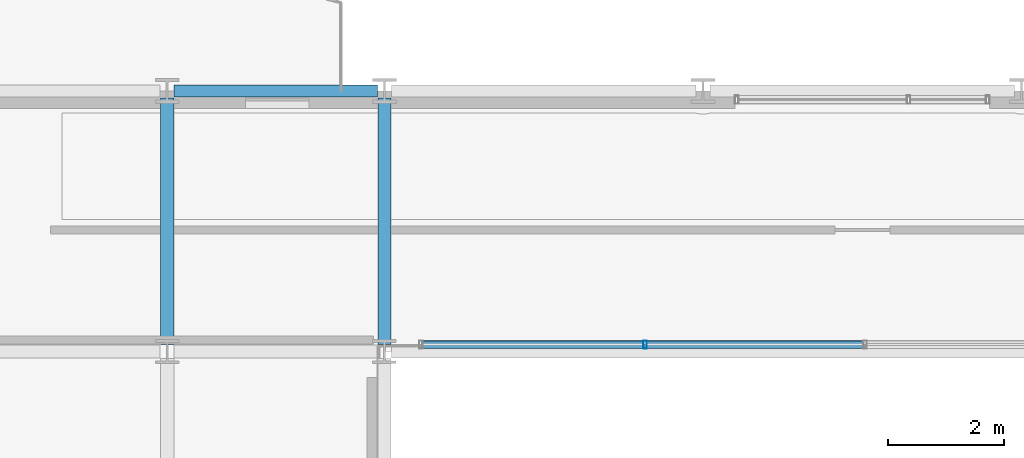
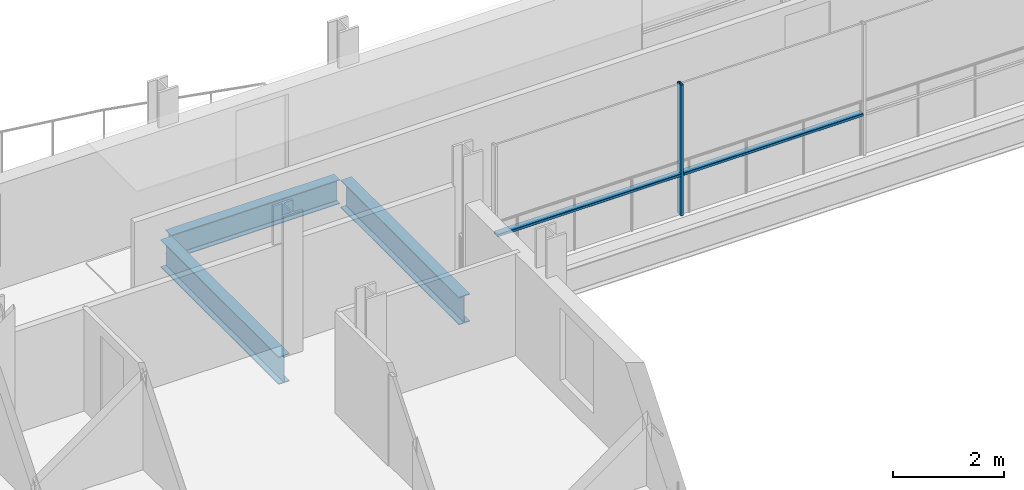
# One storey, part 9 of 39: 3 beams, 3 members, 1 element without a shape of its own.
"""IFC4 building model written with IfcOpenShell, lengths in metres."""

from ifc_helpers import new_model, si_unit, direction, frame, origin, origin_2d, place, context, subcontext, project, spatial, hollow_rectangle, i_section, extrude, material, layer, layer_set, material_profile, profile_set, type_object, element, aggregate, save


model = new_model("IFC4")

# Units and contexts
model_context = context("Model", 3, precision=1e-05, world=origin(), true_north=direction((0.0, 1.0)))
body_context = subcontext(model_context, "Body", "Model", "MODEL_VIEW")
ifc_project = project(units=[si_unit("LENGTHUNIT", "METRE"), si_unit("AREAUNIT", "SQUARE_METRE"), si_unit("VOLUMEUNIT", "CUBIC_METRE"), si_unit("PLANEANGLEUNIT", "RADIAN"), si_unit("MASSUNIT", "GRAM", prefix="KILO")], contexts=[model_context])

# Site, building, storey
site_placement = place(None, origin())
site = spatial("IfcSite", under=ifc_project, at=site_placement, CompositionType="ELEMENT")
building_placement = place(site_placement, origin())
building = spatial("IfcBuilding", under=site, at=building_placement, Name="Brevholm Reach", CompositionType="ELEMENT")
storey_placement = place(building_placement, frame((0.0, 0.0, 109.699951171875)))
storey = spatial("IfcBuildingStorey", under=building, at=storey_placement, Name="L32", CompositionType="ELEMENT", Elevation=109.699951171875)

# Beams
ifc_material_1 = material(Name="Structural Steel S355J2", Category="steel")
ifc_material_profile_1 = material_profile(ifc_material_1, i_section(OverallWidth=0.209228515625, OverallDepth=0.533203125, WebThickness=0.010009765625, FlangeThickness=0.015625, FilletRadius=0.0126953125, at=origin_2d()), Name="UKB 533x210x92")
ifc_profile_set_1 = profile_set([ifc_material_profile_1], Name="Structural Steel S355J2")
beam_type_1 = type_object("IfcBeamType", Name="BM-SP533", PredefinedType="SPANDREL", material=ifc_profile_set_1)
beam_placement = place(storey_placement, frame((18.1201171875, 31.0, -0.486572265625), z_axis=(1.0, 0.0, 0.0), x_axis=(0.0, 1.0, 0.0)))
element("IfcBeam", 1, at=beam_placement, inside=storey, type_object=beam_type_1, Name="L32 SP-02 Framing Beam", PredefinedType="SPANDREL", context=body_context, shape_type="SweptSolid", body=[
    extrude(i_section(OverallWidth=0.209228515625, OverallDepth=0.533203125, WebThickness=0.010009765625, FlangeThickness=0.015625, FilletRadius=0.0126953125, at=origin_2d()), origin(), (0.0, 0.0, 1.0), 3.509765625),
])
ifc_material_2 = material(Name="Structural Steel S355J2", Category="steel")
ifc_material_profile_2 = material_profile(ifc_material_2, i_section(OverallWidth=0.22900390625, OverallDepth=0.6123046875, WebThickness=0.011962890625, FlangeThickness=0.01953125, FilletRadius=0.0126953125, at=origin_2d()), Name="UKB 610x229x125")
ifc_profile_set_2 = profile_set([ifc_material_profile_2], Name="Structural Steel S355J2")
beam_type_2 = type_object("IfcBeamType", Name="BM-SP610", PredefinedType="SPANDREL", material=ifc_profile_set_2)
for number, where, z_axis, x_axis, name in (
    (2, (18.0, 26.6201171875, -0.526123046875), (0.0, 1.0, 0.0), (-1.0, 0.0, 0.0), "L32 SP-01 Framing Beam"),
    (3, (21.75, 26.6201171875, -0.526123046875), (0.0, 1.0, 0.0), (-1.0, 0.0, 0.0), "L32 SP-01 Framing Beam"),
):
    element("IfcBeam", number, at=place(storey_placement, frame(where, z_axis=z_axis, x_axis=x_axis)), inside=storey, type_object=beam_type_2, Name=name, PredefinedType="SPANDREL", context=body_context, shape_type="SweptSolid", body=[
        extrude(i_section(OverallWidth=0.22900390625, OverallDepth=0.6123046875, WebThickness=0.011962890625, FlangeThickness=0.01953125, FilletRadius=0.0126953125, at=origin_2d()), origin(), (0.0, 0.0, 1.0), 4.259765625),
    ])

# Curtain wall, members
ifc_material_3 = material(Name="Dark Anodised Aluminium 6063-T6 and Solar-Control Glass", Category="aluminium")
ifc_layer = layer(ifc_material_3, 0.139892578125)
ifc_layer_set = layer_set([ifc_layer], Name="Dark Anodised Aluminium 6063-T6 and Solar-Control Glass")
curtain_wall_type = type_object("IfcCurtainWallType", Name="CW-02", PredefinedType="NOTDEFINED", material=ifc_layer_set)
curtain_wall_placement = place(storey_placement, origin())
curtain_wall = element("IfcCurtainWall", 4, at=curtain_wall_placement, inside=storey, type_object=curtain_wall_type, Name="L32 Curtain Wall CW-02", PredefinedType="NOTDEFINED")
ifc_material_4 = material(Name="Dark Anodised Aluminium 6063-T6", Category="aluminium")
ifc_material_profile_3 = material_profile(ifc_material_4, hollow_rectangle(XDim=0.06005859375, YDim=0.139892578125, WallThickness=0.0048828125, InnerFilletRadius=0.0048828125, OuterFilletRadius=0.010009765625, at=origin_2d()), Name="RHS 140x60x5")
ifc_profile_set_3 = profile_set([ifc_material_profile_3], Name="Dark Anodised Aluminium 6063-T6")
member_type_1 = type_object("IfcMemberType", Name="CWM-140", PredefinedType="MULLION", material=ifc_profile_set_3)
member_1_placement = place(storey_placement, frame((26.25, 26.6201171875, 0.0), z_axis=(0.0, 0.0, 1.0), x_axis=(-1.0, 0.0, 0.0)))
member_1 = element("IfcMember", 5, at=member_1_placement, type_object=member_type_1, Name="CM-140 Mullion 4", PredefinedType="MULLION", context=body_context, shape_type="SweptSolid", body=[
    extrude(hollow_rectangle(XDim=0.06005859375, YDim=0.139892578125, WallThickness=0.0048828125, InnerFilletRadius=0.0048828125, OuterFilletRadius=0.010009765625, at=origin_2d()), origin(), (0.0, 0.0, 1.0), 2.880126953125),
])
ifc_material_5 = material(Name="Dark Anodised Aluminium 6063-T6", Category="aluminium")
ifc_material_profile_4 = material_profile(ifc_material_5, hollow_rectangle(XDim=0.06005859375, YDim=0.139892578125, WallThickness=0.0048828125, InnerFilletRadius=0.0048828125, OuterFilletRadius=0.010009765625, at=origin_2d()), Name="RHS 140x60x5")
ifc_profile_set_4 = profile_set([ifc_material_profile_4], Name="Dark Anodised Aluminium 6063-T6")
member_type_2 = type_object("IfcMemberType", Name="CWT-140", PredefinedType="NOTDEFINED", material=ifc_profile_set_4)
member_2_placement = place(storey_placement, frame((30.02001953125, 26.6201171875, 0.900146484375), z_axis=(-1.0, 0.0, 0.0), x_axis=(0.0, 0.0, 1.0)))
member_2 = element("IfcMember", 6, at=member_2_placement, type_object=member_type_2, Name="CT-140 Transom 3.1", ObjectType="TRANSOM", PredefinedType="USERDEFINED", context=body_context, shape_type="SweptSolid", body=[
    extrude(hollow_rectangle(XDim=0.06005859375, YDim=0.139892578125, WallThickness=0.0048828125, InnerFilletRadius=0.0048828125, OuterFilletRadius=0.010009765625, at=origin_2d()), origin(), (0.0, 0.0, 1.0), 3.739990234375),
])
member_3_placement = place(storey_placement, frame((26.219970703125, 26.6201171875, 0.900146484375), z_axis=(-1.0, 0.0, 0.0), x_axis=(0.0, 0.0, 1.0)))
member_3 = element("IfcMember", 7, at=member_3_placement, type_object=member_type_2, Name="CT-140 Transom 4.1", ObjectType="TRANSOM", PredefinedType="USERDEFINED", context=body_context, shape_type="SweptSolid", body=[
    extrude(hollow_rectangle(XDim=0.06005859375, YDim=0.139892578125, WallThickness=0.0048828125, InnerFilletRadius=0.0048828125, OuterFilletRadius=0.010009765625, at=origin_2d()), origin(), (0.0, 0.0, 1.0), 3.81005859375),
])
aggregate(curtain_wall, [member_1, member_2, member_3])

save(model, "model.ifc")
